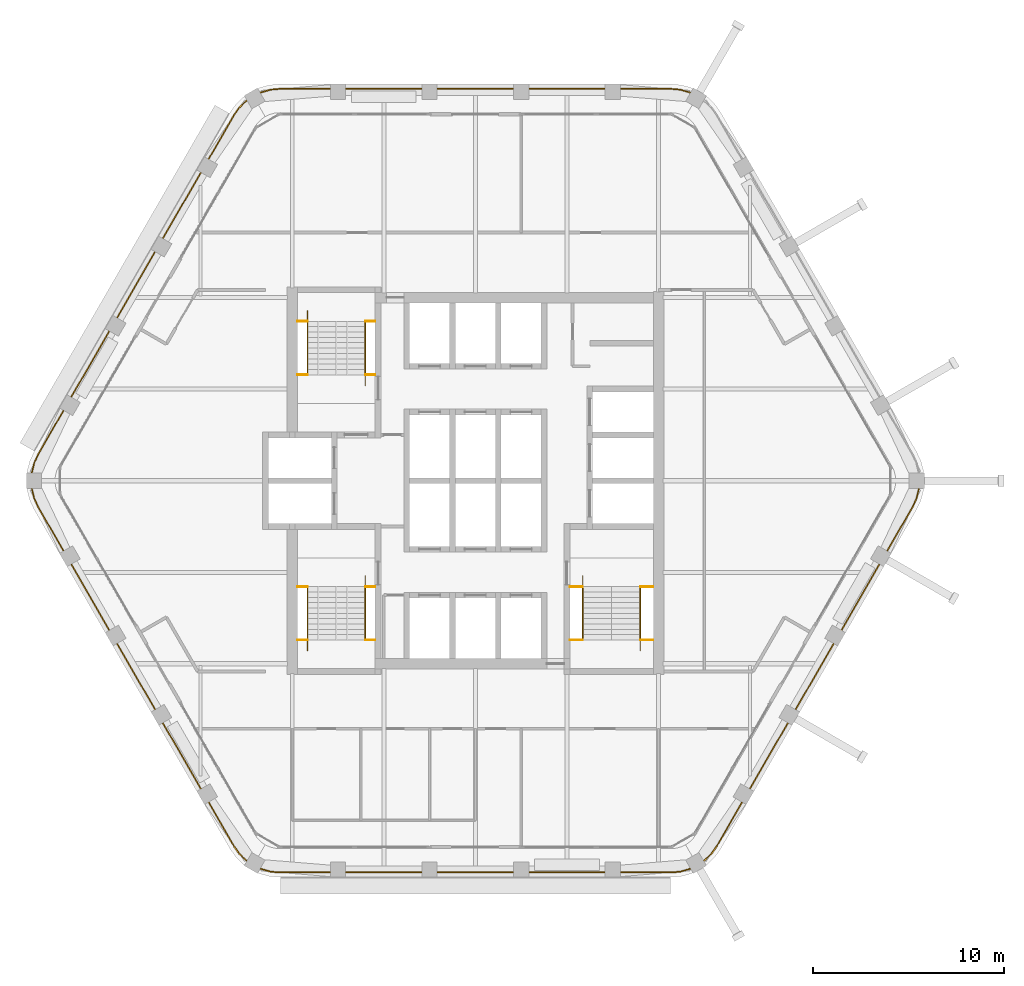
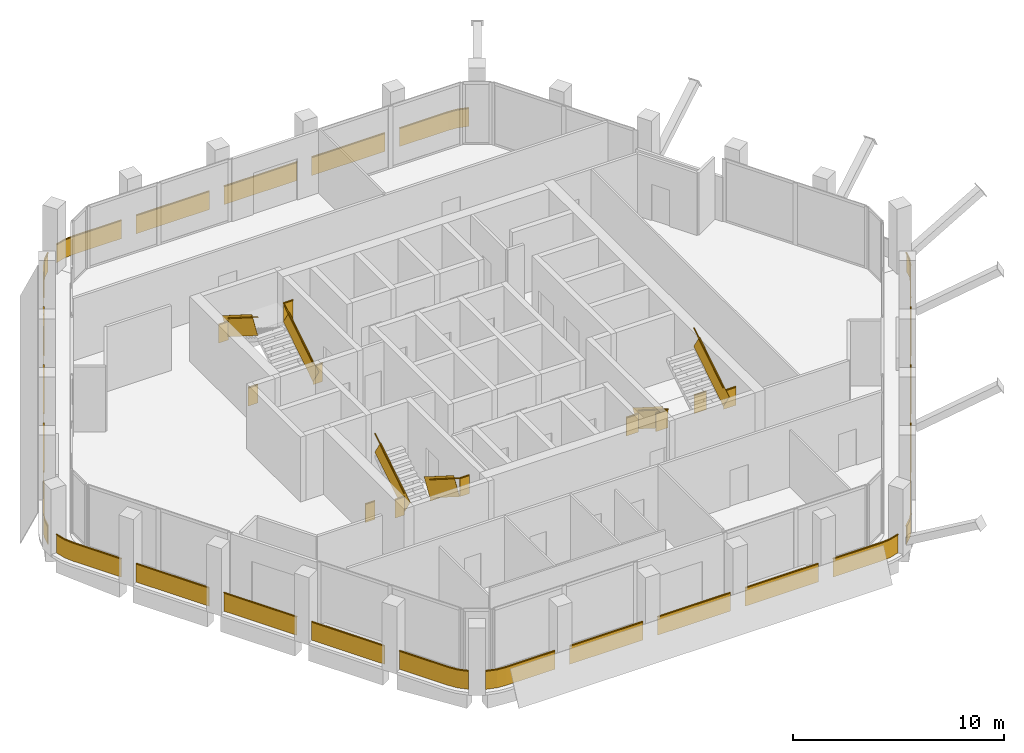
# One storey, part 13 of 14: 11 railings.
"""IFC4 building model written with IfcOpenShell, lengths in metres."""

from ifc_helpers import new_model, si_unit, direction, frame, frame_2d, origin, origin_2d, place, context, subcontext, project, spatial, rectangle, extrude, material, type_object, element, save


model = new_model("IFC4")

# Units and contexts
model_context = context("Model", 3, precision=1e-05, world=origin(), true_north=direction((0.0, 1.0)))
body_context = subcontext(model_context, "Body", "Model", "MODEL_VIEW")
ifc_project = project(units=[si_unit("LENGTHUNIT", "METRE"), si_unit("AREAUNIT", "SQUARE_METRE"), si_unit("VOLUMEUNIT", "CUBIC_METRE"), si_unit("PLANEANGLEUNIT", "RADIAN"), si_unit("MASSUNIT", "GRAM", prefix="KILO")], contexts=[model_context])

# Site, building, storey
site_placement = place(None, origin())
site = spatial("IfcSite", under=ifc_project, at=site_placement, CompositionType="ELEMENT")
building_placement = place(site_placement, origin())
building = spatial("IfcBuilding", under=site, at=building_placement, Name="Kolab Exchange Tower", CompositionType="ELEMENT")
storey_placement = place(building_placement, frame((0.0, 0.0, 281.300048828125)))
storey = spatial("IfcBuildingStorey", under=building, at=storey_placement, Name="L63", CompositionType="ELEMENT", Elevation=281.300048828125)

# Railings
ifc_material_1 = material(Name="Stainless steel 316", Category="steel")
railing_type_1 = type_object("IfcRailingType", Name="GUARD 1100", PredefinedType="GUARDRAIL", material=ifc_material_1)
railing_1_placement = place(storey_placement, frame((-9.324951171875, 5.550048828125, 0.0)))
element("IfcRailing", 1, at=railing_1_placement, inside=storey, type_object=railing_type_1, Name="Guard ST1", PredefinedType="GUARDRAIL", context=body_context, shape_type="SweptSolid", body=[
    extrude(rectangle(XDim=0.05, YDim=0.05, at=origin_2d()), frame((0.0, 0.0, 1.0751953125), z_axis=(1.0, 0.0, 0.0), x_axis=(0.0, 1.0, 0.0)), (0.0, 0.0, 1.0), 0.52734375),
    extrude(rectangle(XDim=0.012, YDim=1.05009765625, at=frame_2d((0.0, 0.525146484375))), frame((0.0, 0.0, 0.0), z_axis=(1.0, 0.0, 0.0), x_axis=(0.0, 1.0, 0.0)), (0.0, 0.0, 1.0), 0.52734375),
    extrude(rectangle(XDim=0.05, YDim=0.05, at=origin_2d()), frame((3.54736328125, 0.0, 1.0751953125), z_axis=(1.0, 0.0, 0.0), x_axis=(0.0, 1.0, 0.0)), (0.0, 0.0, 1.0), 0.527587890625),
    extrude(rectangle(XDim=0.012, YDim=1.05009765625, at=frame_2d((0.0, 0.525146484375))), frame((3.54736328125, 0.0, 0.0), z_axis=(1.0, 0.0, 0.0), x_axis=(0.0, 1.0, 0.0)), (0.0, 0.0, 1.0), 0.527587890625),
    extrude(rectangle(XDim=0.05, YDim=0.05, at=origin_2d()), frame((0.0, 2.800048828125, 3.025146484375), z_axis=(1.0, 0.0, 0.0), x_axis=(0.0, 1.0, 0.0)), (0.0, 0.0, 1.0), 0.52734375),
    extrude(rectangle(XDim=0.012, YDim=1.05009765625, at=frame_2d((0.0, 0.525146484375))), frame((0.0, 2.800048828125, 1.949951171875), z_axis=(1.0, 0.0, 0.0), x_axis=(0.0, 1.0, 0.0)), (0.0, 0.0, 1.0), 0.52734375),
    extrude(rectangle(XDim=0.05, YDim=0.05, at=origin_2d()), frame((3.54736328125, 2.800048828125, 3.025146484375), z_axis=(1.0, 0.0, 0.0), x_axis=(0.0, 1.0, 0.0)), (0.0, 0.0, 1.0), 0.527587890625),
    extrude(rectangle(XDim=0.012, YDim=1.05009765625, at=frame_2d((0.0, 0.525146484375))), frame((3.54736328125, 2.800048828125, 1.949951171875), z_axis=(1.0, 0.0, 0.0), x_axis=(0.0, 1.0, 0.0)), (0.0, 0.0, 1.0), 0.527587890625),
])
railing_2_placement = place(storey_placement, frame((-5.777587890625, 5.550048828125, 0.17724609375)))
element("IfcRailing", 2, at=railing_2_placement, inside=storey, type_object=railing_type_1, Name="Handrail guard ST1", PredefinedType="GUARDRAIL", context=body_context, shape_type="SweptSolid", body=[
    extrude(rectangle(XDim=0.05, YDim=0.05, at=origin_2d()), frame((0.0, 0.0, 1.0751953125), z_axis=(0.0, 0.844908973607, 0.534910110503), x_axis=(-1.0, 0.0, 0.0)), (0.0, 0.0, 1.0), 3.31396484375),
    extrude(rectangle(XDim=0.012, YDim=1.05009765625, at=frame_2d((0.0, 0.525146484375))), frame((0.0, 0.0, 0.0), z_axis=(0.0, 0.844908973607, 0.534910110503), x_axis=(-1.0, 0.0, 0.0)), (0.0, 0.0, 1.0), 3.31396484375),
    extrude(rectangle(XDim=0.05, YDim=0.05, at=origin_2d()), frame((-3.02001953125, 2.800048828125, 3.025146484375), z_axis=(0.0, -0.844908973607, 0.534910110503), x_axis=(1.0, 0.0, 0.0)), (0.0, 0.0, 1.0), 3.31396484375),
    extrude(rectangle(XDim=0.012, YDim=1.05009765625, at=frame_2d((0.0, 0.525146484375))), frame((-3.02001953125, 2.800048828125, 1.949951171875), z_axis=(0.0, -0.844908973607, 0.534910110503), x_axis=(1.0, 0.0, 0.0)), (0.0, 0.0, 1.0), 3.31396484375),
])
railing_3_placement = place(storey_placement, frame((-9.324951171875, -5.550048828125, 0.0)))
element("IfcRailing", 3, at=railing_3_placement, inside=storey, type_object=railing_type_1, Name="Guard ST3", PredefinedType="GUARDRAIL", context=body_context, shape_type="SweptSolid", body=[
    extrude(rectangle(XDim=0.05, YDim=0.05, at=origin_2d()), frame((0.0, 0.0, 1.0751953125), z_axis=(1.0, 0.0, 0.0), x_axis=(0.0, 1.0, 0.0)), (0.0, 0.0, 1.0), 0.52734375),
    extrude(rectangle(XDim=0.012, YDim=1.05009765625, at=frame_2d((0.0, 0.525146484375))), frame((0.0, 0.0, 0.0), z_axis=(1.0, 0.0, 0.0), x_axis=(0.0, 1.0, 0.0)), (0.0, 0.0, 1.0), 0.52734375),
    extrude(rectangle(XDim=0.05, YDim=0.05, at=origin_2d()), frame((3.54736328125, 0.0, 1.0751953125), z_axis=(1.0, 0.0, 0.0), x_axis=(0.0, 1.0, 0.0)), (0.0, 0.0, 1.0), 0.527587890625),
    extrude(rectangle(XDim=0.012, YDim=1.05009765625, at=frame_2d((0.0, 0.525146484375))), frame((3.54736328125, 0.0, 0.0), z_axis=(1.0, 0.0, 0.0), x_axis=(0.0, 1.0, 0.0)), (0.0, 0.0, 1.0), 0.527587890625),
    extrude(rectangle(XDim=0.05, YDim=0.05, at=origin_2d()), frame((0.0, -2.800048828125, 3.025146484375), z_axis=(1.0, 0.0, 0.0), x_axis=(0.0, 1.0, 0.0)), (0.0, 0.0, 1.0), 0.52734375),
    extrude(rectangle(XDim=0.012, YDim=1.05009765625, at=frame_2d((0.0, 0.525146484375))), frame((0.0, -2.800048828125, 1.949951171875), z_axis=(1.0, 0.0, 0.0), x_axis=(0.0, 1.0, 0.0)), (0.0, 0.0, 1.0), 0.52734375),
    extrude(rectangle(XDim=0.05, YDim=0.05, at=origin_2d()), frame((3.54736328125, -2.800048828125, 3.025146484375), z_axis=(1.0, 0.0, 0.0), x_axis=(0.0, 1.0, 0.0)), (0.0, 0.0, 1.0), 0.527587890625),
    extrude(rectangle(XDim=0.012, YDim=1.05009765625, at=frame_2d((0.0, 0.525146484375))), frame((3.54736328125, -2.800048828125, 1.949951171875), z_axis=(1.0, 0.0, 0.0), x_axis=(0.0, 1.0, 0.0)), (0.0, 0.0, 1.0), 0.527587890625),
])
railing_4_placement = place(storey_placement, frame((-5.777587890625, -5.550048828125, 0.17724609375)))
element("IfcRailing", 4, at=railing_4_placement, inside=storey, type_object=railing_type_1, Name="Handrail guard ST3", PredefinedType="GUARDRAIL", context=body_context, shape_type="SweptSolid", body=[
    extrude(rectangle(XDim=0.05, YDim=0.05, at=origin_2d()), frame((0.0, 0.0, 1.0751953125), z_axis=(0.0, -0.844908973607, 0.534910110503), x_axis=(1.0, 0.0, 0.0)), (0.0, 0.0, 1.0), 3.31396484375),
    extrude(rectangle(XDim=0.012, YDim=1.05009765625, at=frame_2d((0.0, 0.525146484375))), frame((0.0, 0.0, 0.0), z_axis=(0.0, -0.844908973607, 0.534910110503), x_axis=(1.0, 0.0, 0.0)), (0.0, 0.0, 1.0), 3.31396484375),
    extrude(rectangle(XDim=0.05, YDim=0.05, at=origin_2d()), frame((-3.02001953125, -2.800048828125, 3.025146484375), z_axis=(0.0, 0.844908973607, 0.534910110503), x_axis=(-1.0, 0.0, 0.0)), (0.0, 0.0, 1.0), 3.31396484375),
    extrude(rectangle(XDim=0.012, YDim=1.05009765625, at=frame_2d((0.0, 0.525146484375))), frame((-3.02001953125, -2.800048828125, 1.949951171875), z_axis=(0.0, 0.844908973607, 0.534910110503), x_axis=(-1.0, 0.0, 0.0)), (0.0, 0.0, 1.0), 3.31396484375),
])
railing_5_placement = place(storey_placement, frame((4.949951171875, -5.550048828125, 0.0)))
element("IfcRailing", 5, at=railing_5_placement, inside=storey, type_object=railing_type_1, Name="Guard ST2", PredefinedType="GUARDRAIL", context=body_context, shape_type="SweptSolid", body=[
    extrude(rectangle(XDim=0.05, YDim=0.05, at=origin_2d()), frame((0.0, 0.0, 1.0751953125), z_axis=(1.0, 0.0, 0.0), x_axis=(0.0, 1.0, 0.0)), (0.0, 0.0, 1.0), 0.677490234375),
    extrude(rectangle(XDim=0.012, YDim=1.05009765625, at=frame_2d((0.0, 0.525146484375))), frame((0.0, 0.0, 0.0), z_axis=(1.0, 0.0, 0.0), x_axis=(0.0, 1.0, 0.0)), (0.0, 0.0, 1.0), 0.677490234375),
    extrude(rectangle(XDim=0.05, YDim=0.05, at=origin_2d()), frame((3.697509765625, 0.0, 1.0751953125), z_axis=(1.0, 0.0, 0.0), x_axis=(0.0, 1.0, 0.0)), (0.0, 0.0, 1.0), 0.677490234375),
    extrude(rectangle(XDim=0.012, YDim=1.05009765625, at=frame_2d((0.0, 0.525146484375))), frame((3.697509765625, 0.0, 0.0), z_axis=(1.0, 0.0, 0.0), x_axis=(0.0, 1.0, 0.0)), (0.0, 0.0, 1.0), 0.677490234375),
    extrude(rectangle(XDim=0.05, YDim=0.05, at=origin_2d()), frame((0.0, -2.800048828125, 3.025146484375), z_axis=(1.0, 0.0, 0.0), x_axis=(0.0, 1.0, 0.0)), (0.0, 0.0, 1.0), 0.677490234375),
    extrude(rectangle(XDim=0.012, YDim=1.05009765625, at=frame_2d((0.0, 0.525146484375))), frame((0.0, -2.800048828125, 1.949951171875), z_axis=(1.0, 0.0, 0.0), x_axis=(0.0, 1.0, 0.0)), (0.0, 0.0, 1.0), 0.677490234375),
    extrude(rectangle(XDim=0.05, YDim=0.05, at=origin_2d()), frame((3.697509765625, -2.800048828125, 3.025146484375), z_axis=(1.0, 0.0, 0.0), x_axis=(0.0, 1.0, 0.0)), (0.0, 0.0, 1.0), 0.677490234375),
    extrude(rectangle(XDim=0.012, YDim=1.05009765625, at=frame_2d((0.0, 0.525146484375))), frame((3.697509765625, -2.800048828125, 1.949951171875), z_axis=(1.0, 0.0, 0.0), x_axis=(0.0, 1.0, 0.0)), (0.0, 0.0, 1.0), 0.677490234375),
])
railing_6_placement = place(storey_placement, frame((5.62744140625, -5.550048828125, 0.17724609375)))
element("IfcRailing", 6, at=railing_6_placement, inside=storey, type_object=railing_type_1, Name="Handrail guard ST2", PredefinedType="GUARDRAIL", context=body_context, shape_type="SweptSolid", body=[
    extrude(rectangle(XDim=0.05, YDim=0.05, at=origin_2d()), frame((0.0, 0.0, 1.0751953125), z_axis=(0.0, -0.844908973607, 0.534910110503), x_axis=(1.0, 0.0, 0.0)), (0.0, 0.0, 1.0), 3.31396484375),
    extrude(rectangle(XDim=0.012, YDim=1.05009765625, at=frame_2d((0.0, 0.525146484375))), frame((0.0, 0.0, 0.0), z_axis=(0.0, -0.844908973607, 0.534910110503), x_axis=(1.0, 0.0, 0.0)), (0.0, 0.0, 1.0), 3.31396484375),
    extrude(rectangle(XDim=0.05, YDim=0.05, at=origin_2d()), frame((3.02001953125, -2.800048828125, 3.025146484375), z_axis=(0.0, 0.844908973607, 0.534910110503), x_axis=(-1.0, 0.0, 0.0)), (0.0, 0.0, 1.0), 3.31396484375),
    extrude(rectangle(XDim=0.012, YDim=1.05009765625, at=frame_2d((0.0, 0.525146484375))), frame((3.02001953125, -2.800048828125, 1.949951171875), z_axis=(0.0, 0.844908973607, 0.534910110503), x_axis=(-1.0, 0.0, 0.0)), (0.0, 0.0, 1.0), 3.31396484375),
])
ifc_material_2 = material(Name="Steel S235", Category="steel")
railing_type_2 = type_object("IfcRailingType", Name="GUARD 1100 GLASS BALUSTRADE AND STEEL TOP RAIL", PredefinedType="GUARDRAIL", material=ifc_material_2)
railing_7_placement = place(storey_placement, frame((11.280517578125, 20.335205078125, 0.0)))
element("IfcRailing", 7, at=railing_7_placement, inside=storey, type_object=railing_type_2, Name="Guard", PredefinedType="GUARDRAIL", context=body_context, shape_type="SweptSolid", body=[
    extrude(rectangle(XDim=0.05, YDim=0.05, at=origin_2d()), frame((0.0, 0.0, 1.0751953125), z_axis=(-0.959212061764, 0.282687496304, 0.0), x_axis=(-0.282687496304, -0.959212061764, 0.0)), (0.0, 0.0, 1.0), 0.557861328125),
    extrude(rectangle(XDim=0.012, YDim=1.05009765625, at=frame_2d((0.0, 0.525146484375))), frame((0.0, 0.0, 0.0), z_axis=(-0.959212061764, 0.282687496304, 0.0), x_axis=(-0.282687496304, -0.959212061764, 0.0)), (0.0, 0.0, 1.0), 0.557861328125),
    extrude(rectangle(XDim=0.05, YDim=0.05, at=origin_2d()), frame((-0.53515625, 0.15771484375, 1.0751953125), z_axis=(-0.996196482496, 0.087135344505, 0.0), x_axis=(-0.087135344505, -0.996196482496, 0.0)), (0.0, 0.0, 1.0), 0.47900390625),
    extrude(rectangle(XDim=0.012, YDim=1.05009765625, at=frame_2d((0.0, 0.525146484375))), frame((-0.53515625, 0.15771484375, 0.0), z_axis=(-0.996196482496, 0.087135344505, 0.0), x_axis=(-0.087135344505, -0.996196482496, 0.0)), (0.0, 0.0, 1.0), 0.47900390625),
    extrude(rectangle(XDim=0.05, YDim=0.05, at=origin_2d()), frame((-1.012451171875, 0.199462890625, 1.0751953125), z_axis=(-1.0, 0.0, 0.0), x_axis=(0.0, -1.0, 0.0)), (0.0, 0.0, 1.0), 2.66796875),
    extrude(rectangle(XDim=0.012, YDim=1.05009765625, at=frame_2d((0.0, 0.525146484375))), frame((-1.012451171875, 0.199462890625, 0.0), z_axis=(-1.0, 0.0, 0.0), x_axis=(0.0, -1.0, 0.0)), (0.0, 0.0, 1.0), 2.66796875),
    extrude(rectangle(XDim=0.05, YDim=0.05, at=origin_2d()), frame((-4.48046875, 0.199462890625, 1.0751953125), z_axis=(-1.0, 0.0, 0.0), x_axis=(0.0, -1.0, 0.0)), (0.0, 0.0, 1.0), 4.0),
    extrude(rectangle(XDim=0.012, YDim=1.05009765625, at=frame_2d((0.0, 0.525146484375))), frame((-4.48046875, 0.199462890625, 0.0), z_axis=(-1.0, 0.0, 0.0), x_axis=(0.0, -1.0, 0.0)), (0.0, 0.0, 1.0), 4.0),
    extrude(rectangle(XDim=0.05, YDim=0.05, at=origin_2d()), frame((-9.280517578125, 0.199462890625, 1.0751953125), z_axis=(-1.0, 0.0, 0.0), x_axis=(0.0, -1.0, 0.0)), (0.0, 0.0, 1.0), 4.0),
    extrude(rectangle(XDim=0.012, YDim=1.05009765625, at=frame_2d((0.0, 0.525146484375))), frame((-9.280517578125, 0.199462890625, 0.0), z_axis=(-1.0, 0.0, 0.0), x_axis=(0.0, -1.0, 0.0)), (0.0, 0.0, 1.0), 4.0),
    extrude(rectangle(XDim=0.05, YDim=0.05, at=origin_2d()), frame((-14.08056640625, 0.199462890625, 1.0751953125), z_axis=(-1.0, 0.0, 0.0), x_axis=(0.0, -1.0, 0.0)), (0.0, 0.0, 1.0), 4.0),
    extrude(rectangle(XDim=0.012, YDim=1.05009765625, at=frame_2d((0.0, 0.525146484375))), frame((-14.08056640625, 0.199462890625, 0.0), z_axis=(-1.0, 0.0, 0.0), x_axis=(0.0, -1.0, 0.0)), (0.0, 0.0, 1.0), 4.0),
    extrude(rectangle(XDim=0.05, YDim=0.05, at=origin_2d()), frame((-18.880615234375, 0.199462890625, 1.0751953125), z_axis=(-1.0, 0.0, 0.0), x_axis=(0.0, -1.0, 0.0)), (0.0, 0.0, 1.0), 2.66796875),
    extrude(rectangle(XDim=0.012, YDim=1.05009765625, at=frame_2d((0.0, 0.525146484375))), frame((-18.880615234375, 0.199462890625, 0.0), z_axis=(-1.0, 0.0, 0.0), x_axis=(0.0, -1.0, 0.0)), (0.0, 0.0, 1.0), 2.66796875),
    extrude(rectangle(XDim=0.05, YDim=0.05, at=origin_2d()), frame((-21.548583984375, 0.199462890625, 1.0751953125), z_axis=(-0.996196482496, -0.087135344505, 0.0), x_axis=(0.087135344505, -0.996196482496, 0.0)), (0.0, 0.0, 1.0), 0.47900390625),
    extrude(rectangle(XDim=0.012, YDim=1.05009765625, at=frame_2d((0.0, 0.525146484375))), frame((-21.548583984375, 0.199462890625, 0.0), z_axis=(-0.996196482496, -0.087135344505, 0.0), x_axis=(0.087135344505, -0.996196482496, 0.0)), (0.0, 0.0, 1.0), 0.47900390625),
    extrude(rectangle(XDim=0.05, YDim=0.05, at=origin_2d()), frame((-22.02587890625, 0.15771484375, 1.0751953125), z_axis=(-0.959212061764, -0.282687496304, 0.0), x_axis=(0.282687496304, -0.959212061764, 0.0)), (0.0, 0.0, 1.0), 0.557861328125),
    extrude(rectangle(XDim=0.012, YDim=1.05009765625, at=frame_2d((0.0, 0.525146484375))), frame((-22.02587890625, 0.15771484375, 0.0), z_axis=(-0.959212061764, -0.282687496304, 0.0), x_axis=(0.282687496304, -0.959212061764, 0.0)), (0.0, 0.0, 1.0), 0.557861328125),
])
railing_8_placement = place(storey_placement, frame((11.970703125, -19.936767578125, 0.0)))
element("IfcRailing", 8, at=railing_8_placement, inside=storey, type_object=railing_type_2, Name="Guard", PredefinedType="GUARDRAIL", context=body_context, shape_type="SweptSolid", body=[
    extrude(rectangle(XDim=0.05, YDim=0.05, at=origin_2d()), frame((0.0, 0.0, 1.0751953125), z_axis=(0.724189990991, 0.689600505327, 0.0), x_axis=(-0.689600505327, 0.724189990991, 0.0)), (0.0, 0.0, 1.0), 0.5576171875),
    extrude(rectangle(XDim=0.012, YDim=1.05009765625, at=frame_2d((0.0, 0.525146484375))), frame((0.0, 0.0, 0.0), z_axis=(0.724189990991, 0.689600505327, 0.0), x_axis=(-0.689600505327, 0.724189990991, 0.0)), (0.0, 0.0, 1.0), 0.5576171875),
    extrude(rectangle(XDim=0.05, YDim=0.05, at=origin_2d()), frame((0.40380859375, 0.384521484375, 1.0751953125), z_axis=(0.573599091554, 0.819136180478, 0.0), x_axis=(-0.819136180478, 0.573599091554, 0.0)), (0.0, 0.0, 1.0), 0.479248046875),
    extrude(rectangle(XDim=0.012, YDim=1.05009765625, at=frame_2d((0.0, 0.525146484375))), frame((0.40380859375, 0.384521484375, 0.0), z_axis=(0.573599091554, 0.819136180478, 0.0), x_axis=(-0.819136180478, 0.573599091554, 0.0)), (0.0, 0.0, 1.0), 0.479248046875),
    extrude(rectangle(XDim=0.05, YDim=0.05, at=origin_2d()), frame((0.6787109375, 0.777099609375, 1.0751953125), z_axis=(0.499997052475, 0.866027105532, 0.0), x_axis=(-0.866027105532, 0.499997052475, 0.0)), (0.0, 0.0, 1.0), 2.66796875),
    extrude(rectangle(XDim=0.012, YDim=1.05009765625, at=frame_2d((0.0, 0.525146484375))), frame((0.6787109375, 0.777099609375, 0.0), z_axis=(0.499997052475, 0.866027105532, 0.0), x_axis=(-0.866027105532, 0.499997052475, 0.0)), (0.0, 0.0, 1.0), 2.66796875),
    extrude(rectangle(XDim=0.05, YDim=0.05, at=origin_2d()), frame((2.412841796875, 3.780517578125, 1.0751953125), z_axis=(0.49999894854, 0.866026010844, 0.0), x_axis=(-0.866026010844, 0.49999894854, 0.0)), (0.0, 0.0, 1.0), 4.0),
    extrude(rectangle(XDim=0.012, YDim=1.05009765625, at=frame_2d((0.0, 0.525146484375))), frame((2.412841796875, 3.780517578125, 0.0), z_axis=(0.49999894854, 0.866026010844, 0.0), x_axis=(-0.866026010844, 0.49999894854, 0.0)), (0.0, 0.0, 1.0), 4.0),
    extrude(rectangle(XDim=0.05, YDim=0.05, at=origin_2d()), frame((4.812744140625, 7.9375, 1.0751953125), z_axis=(0.49999894854, 0.866026010844, 0.0), x_axis=(-0.866026010844, 0.49999894854, 0.0)), (0.0, 0.0, 1.0), 4.0),
    extrude(rectangle(XDim=0.012, YDim=1.05009765625, at=frame_2d((0.0, 0.525146484375))), frame((4.812744140625, 7.9375, 0.0), z_axis=(0.49999894854, 0.866026010844, 0.0), x_axis=(-0.866026010844, 0.49999894854, 0.0)), (0.0, 0.0, 1.0), 4.0),
    extrude(rectangle(XDim=0.05, YDim=0.05, at=origin_2d()), frame((7.212890625, 12.09423828125, 1.0751953125), z_axis=(0.49999894854, 0.866026010844, 0.0), x_axis=(-0.866026010844, 0.49999894854, 0.0)), (0.0, 0.0, 1.0), 4.0),
    extrude(rectangle(XDim=0.012, YDim=1.05009765625, at=frame_2d((0.0, 0.525146484375))), frame((7.212890625, 12.09423828125, 0.0), z_axis=(0.49999894854, 0.866026010844, 0.0), x_axis=(-0.866026010844, 0.49999894854, 0.0)), (0.0, 0.0, 1.0), 4.0),
    extrude(rectangle(XDim=0.05, YDim=0.05, at=origin_2d()), frame((9.61279296875, 16.251220703125, 1.0751953125), z_axis=(0.499997052475, 0.866027105532, 0.0), x_axis=(-0.866027105532, 0.499997052475, 0.0)), (0.0, 0.0, 1.0), 2.66796875),
    extrude(rectangle(XDim=0.012, YDim=1.05009765625, at=frame_2d((0.0, 0.525146484375))), frame((9.61279296875, 16.251220703125, 0.0), z_axis=(0.499997052475, 0.866027105532, 0.0), x_axis=(-0.866027105532, 0.499997052475, 0.0)), (0.0, 0.0, 1.0), 2.66796875),
    extrude(rectangle(XDim=0.05, YDim=0.05, at=origin_2d()), frame((10.94677734375, 18.561767578125, 1.0751953125), z_axis=(0.422801802984, 0.906222177721, 0.0), x_axis=(-0.906222177721, 0.422801802984, 0.0)), (0.0, 0.0, 1.0), 0.479248046875),
    extrude(rectangle(XDim=0.012, YDim=1.05009765625, at=frame_2d((0.0, 0.525146484375))), frame((10.94677734375, 18.561767578125, 0.0), z_axis=(0.422801802984, 0.906222177721, 0.0), x_axis=(-0.906222177721, 0.422801802984, 0.0)), (0.0, 0.0, 1.0), 0.479248046875),
    extrude(rectangle(XDim=0.05, YDim=0.05, at=origin_2d()), frame((11.1494140625, 18.99609375, 1.0751953125), z_axis=(0.234597748196, 0.972092534968, 0.0), x_axis=(-0.972092534968, 0.234597748196, 0.0)), (0.0, 0.0, 1.0), 0.557861328125),
    extrude(rectangle(XDim=0.012, YDim=1.05009765625, at=frame_2d((0.0, 0.525146484375))), frame((11.1494140625, 18.99609375, 0.0), z_axis=(0.234597748196, 0.972092534968, 0.0), x_axis=(-0.972092534968, 0.234597748196, 0.0)), (0.0, 0.0, 1.0), 0.557861328125),
])
railing_9_placement = place(storey_placement, frame((-11.280517578125, -20.335205078125, 0.0)))
element("IfcRailing", 9, at=railing_9_placement, inside=storey, type_object=railing_type_2, Name="Guard", PredefinedType="GUARDRAIL", context=body_context, shape_type="SweptSolid", body=[
    extrude(rectangle(XDim=0.05, YDim=0.05, at=origin_2d()), frame((0.0, 0.0, 1.0751953125), z_axis=(0.959212061764, -0.282687496304, 0.0), x_axis=(0.282687496304, 0.959212061764, 0.0)), (0.0, 0.0, 1.0), 0.557861328125),
    extrude(rectangle(XDim=0.012, YDim=1.05009765625, at=frame_2d((0.0, 0.525146484375))), frame((0.0, 0.0, 0.0), z_axis=(0.959212061764, -0.282687496304, 0.0), x_axis=(0.282687496304, 0.959212061764, 0.0)), (0.0, 0.0, 1.0), 0.557861328125),
    extrude(rectangle(XDim=0.05, YDim=0.05, at=origin_2d()), frame((0.53515625, -0.15771484375, 1.0751953125), z_axis=(0.996196482496, -0.087135344505, 0.0), x_axis=(0.087135344505, 0.996196482496, 0.0)), (0.0, 0.0, 1.0), 0.47900390625),
    extrude(rectangle(XDim=0.012, YDim=1.05009765625, at=frame_2d((0.0, 0.525146484375))), frame((0.53515625, -0.15771484375, 0.0), z_axis=(0.996196482496, -0.087135344505, 0.0), x_axis=(0.087135344505, 0.996196482496, 0.0)), (0.0, 0.0, 1.0), 0.47900390625),
    extrude(rectangle(XDim=0.05, YDim=0.05, at=origin_2d()), frame((1.012451171875, -0.199462890625, 1.0751953125), z_axis=(1.0, 0.0, 0.0), x_axis=(0.0, 1.0, 0.0)), (0.0, 0.0, 1.0), 2.66796875),
    extrude(rectangle(XDim=0.012, YDim=1.05009765625, at=frame_2d((0.0, 0.525146484375))), frame((1.012451171875, -0.199462890625, 0.0), z_axis=(1.0, 0.0, 0.0), x_axis=(0.0, 1.0, 0.0)), (0.0, 0.0, 1.0), 2.66796875),
    extrude(rectangle(XDim=0.05, YDim=0.05, at=origin_2d()), frame((4.48046875, -0.199462890625, 1.0751953125), z_axis=(1.0, 0.0, 0.0), x_axis=(0.0, 1.0, 0.0)), (0.0, 0.0, 1.0), 4.0),
    extrude(rectangle(XDim=0.012, YDim=1.05009765625, at=frame_2d((0.0, 0.525146484375))), frame((4.48046875, -0.199462890625, 0.0), z_axis=(1.0, 0.0, 0.0), x_axis=(0.0, 1.0, 0.0)), (0.0, 0.0, 1.0), 4.0),
    extrude(rectangle(XDim=0.05, YDim=0.05, at=origin_2d()), frame((9.280517578125, -0.199462890625, 1.0751953125), z_axis=(1.0, 0.0, 0.0), x_axis=(0.0, 1.0, 0.0)), (0.0, 0.0, 1.0), 4.0),
    extrude(rectangle(XDim=0.012, YDim=1.05009765625, at=frame_2d((0.0, 0.525146484375))), frame((9.280517578125, -0.199462890625, 0.0), z_axis=(1.0, 0.0, 0.0), x_axis=(0.0, 1.0, 0.0)), (0.0, 0.0, 1.0), 4.0),
    extrude(rectangle(XDim=0.05, YDim=0.05, at=origin_2d()), frame((14.08056640625, -0.199462890625, 1.0751953125), z_axis=(1.0, 0.0, 0.0), x_axis=(0.0, 1.0, 0.0)), (0.0, 0.0, 1.0), 4.0),
    extrude(rectangle(XDim=0.012, YDim=1.05009765625, at=frame_2d((0.0, 0.525146484375))), frame((14.08056640625, -0.199462890625, 0.0), z_axis=(1.0, 0.0, 0.0), x_axis=(0.0, 1.0, 0.0)), (0.0, 0.0, 1.0), 4.0),
    extrude(rectangle(XDim=0.05, YDim=0.05, at=origin_2d()), frame((18.880615234375, -0.199462890625, 1.0751953125), z_axis=(1.0, 0.0, 0.0), x_axis=(0.0, 1.0, 0.0)), (0.0, 0.0, 1.0), 2.66796875),
    extrude(rectangle(XDim=0.012, YDim=1.05009765625, at=frame_2d((0.0, 0.525146484375))), frame((18.880615234375, -0.199462890625, 0.0), z_axis=(1.0, 0.0, 0.0), x_axis=(0.0, 1.0, 0.0)), (0.0, 0.0, 1.0), 2.66796875),
    extrude(rectangle(XDim=0.05, YDim=0.05, at=origin_2d()), frame((21.548583984375, -0.199462890625, 1.0751953125), z_axis=(0.996196482496, 0.087135344505, 0.0), x_axis=(-0.087135344505, 0.996196482496, 0.0)), (0.0, 0.0, 1.0), 0.47900390625),
    extrude(rectangle(XDim=0.012, YDim=1.05009765625, at=frame_2d((0.0, 0.525146484375))), frame((21.548583984375, -0.199462890625, 0.0), z_axis=(0.996196482496, 0.087135344505, 0.0), x_axis=(-0.087135344505, 0.996196482496, 0.0)), (0.0, 0.0, 1.0), 0.47900390625),
    extrude(rectangle(XDim=0.05, YDim=0.05, at=origin_2d()), frame((22.02587890625, -0.15771484375, 1.0751953125), z_axis=(0.959212061764, 0.282687496304, 0.0), x_axis=(-0.282687496304, 0.959212061764, 0.0)), (0.0, 0.0, 1.0), 0.557861328125),
    extrude(rectangle(XDim=0.012, YDim=1.05009765625, at=frame_2d((0.0, 0.525146484375))), frame((22.02587890625, -0.15771484375, 0.0), z_axis=(0.959212061764, 0.282687496304, 0.0), x_axis=(-0.282687496304, 0.959212061764, 0.0)), (0.0, 0.0, 1.0), 0.557861328125),
])
railing_10_placement = place(storey_placement, frame((-23.2509765625, -0.3984375, 0.0)))
element("IfcRailing", 10, at=railing_10_placement, inside=storey, type_object=railing_type_2, Name="Guard", PredefinedType="GUARDRAIL", context=body_context, shape_type="SweptSolid", body=[
    extrude(rectangle(XDim=0.05, YDim=0.05, at=origin_2d()), frame((0.0, 0.0, 1.0751953125), z_axis=(0.234597748196, -0.972092534968, 0.0), x_axis=(0.972092534968, 0.234597748196, 0.0)), (0.0, 0.0, 1.0), 0.557861328125),
    extrude(rectangle(XDim=0.012, YDim=1.05009765625, at=frame_2d((0.0, 0.525146484375))), frame((0.0, 0.0, 0.0), z_axis=(0.234597748196, -0.972092534968, 0.0), x_axis=(0.972092534968, 0.234597748196, 0.0)), (0.0, 0.0, 1.0), 0.557861328125),
    extrude(rectangle(XDim=0.05, YDim=0.05, at=origin_2d()), frame((0.130859375, -0.542236328125, 1.0751953125), z_axis=(0.422801802984, -0.906222177721, 0.0), x_axis=(0.906222177721, 0.422801802984, 0.0)), (0.0, 0.0, 1.0), 0.479248046875),
    extrude(rectangle(XDim=0.012, YDim=1.05009765625, at=frame_2d((0.0, 0.525146484375))), frame((0.130859375, -0.542236328125, 0.0), z_axis=(0.422801802984, -0.906222177721, 0.0), x_axis=(0.906222177721, 0.422801802984, 0.0)), (0.0, 0.0, 1.0), 0.479248046875),
    extrude(rectangle(XDim=0.05, YDim=0.05, at=origin_2d()), frame((0.33349609375, -0.9765625, 1.0751953125), z_axis=(0.499997052475, -0.866027105532, 0.0), x_axis=(0.866027105532, 0.499997052475, 0.0)), (0.0, 0.0, 1.0), 2.66796875),
    extrude(rectangle(XDim=0.012, YDim=1.05009765625, at=frame_2d((0.0, 0.525146484375))), frame((0.33349609375, -0.9765625, 0.0), z_axis=(0.499997052475, -0.866027105532, 0.0), x_axis=(0.866027105532, 0.499997052475, 0.0)), (0.0, 0.0, 1.0), 2.66796875),
    extrude(rectangle(XDim=0.05, YDim=0.05, at=origin_2d()), frame((2.0673828125, -3.97998046875, 1.0751953125), z_axis=(0.49999894854, -0.866026010844, 0.0), x_axis=(0.866026010844, 0.49999894854, 0.0)), (0.0, 0.0, 1.0), 4.0),
    extrude(rectangle(XDim=0.012, YDim=1.05009765625, at=frame_2d((0.0, 0.525146484375))), frame((2.0673828125, -3.97998046875, 0.0), z_axis=(0.49999894854, -0.866026010844, 0.0), x_axis=(0.866026010844, 0.49999894854, 0.0)), (0.0, 0.0, 1.0), 4.0),
    extrude(rectangle(XDim=0.05, YDim=0.05, at=origin_2d()), frame((4.467529296875, -8.13671875, 1.0751953125), z_axis=(0.49999894854, -0.866026010844, 0.0), x_axis=(0.866026010844, 0.49999894854, 0.0)), (0.0, 0.0, 1.0), 4.0),
    extrude(rectangle(XDim=0.012, YDim=1.05009765625, at=frame_2d((0.0, 0.525146484375))), frame((4.467529296875, -8.13671875, 0.0), z_axis=(0.49999894854, -0.866026010844, 0.0), x_axis=(0.866026010844, 0.49999894854, 0.0)), (0.0, 0.0, 1.0), 4.0),
    extrude(rectangle(XDim=0.05, YDim=0.05, at=origin_2d()), frame((6.867431640625, -12.293701171875, 1.0751953125), z_axis=(0.49999894854, -0.866026010844, 0.0), x_axis=(0.866026010844, 0.49999894854, 0.0)), (0.0, 0.0, 1.0), 4.0),
    extrude(rectangle(XDim=0.012, YDim=1.05009765625, at=frame_2d((0.0, 0.525146484375))), frame((6.867431640625, -12.293701171875, 0.0), z_axis=(0.49999894854, -0.866026010844, 0.0), x_axis=(0.866026010844, 0.49999894854, 0.0)), (0.0, 0.0, 1.0), 4.0),
    extrude(rectangle(XDim=0.05, YDim=0.05, at=origin_2d()), frame((9.267578125, -16.45068359375, 1.0751953125), z_axis=(0.499997052475, -0.866027105532, 0.0), x_axis=(0.866027105532, 0.499997052475, 0.0)), (0.0, 0.0, 1.0), 2.66796875),
    extrude(rectangle(XDim=0.012, YDim=1.05009765625, at=frame_2d((0.0, 0.525146484375))), frame((9.267578125, -16.45068359375, 0.0), z_axis=(0.499997052475, -0.866027105532, 0.0), x_axis=(0.866027105532, 0.499997052475, 0.0)), (0.0, 0.0, 1.0), 2.66796875),
    extrude(rectangle(XDim=0.05, YDim=0.05, at=origin_2d()), frame((10.6015625, -18.76123046875, 1.0751953125), z_axis=(0.573599091554, -0.819136180478, 0.0), x_axis=(0.819136180478, 0.573599091554, 0.0)), (0.0, 0.0, 1.0), 0.479248046875),
    extrude(rectangle(XDim=0.012, YDim=1.05009765625, at=frame_2d((0.0, 0.525146484375))), frame((10.6015625, -18.76123046875, 0.0), z_axis=(0.573599091554, -0.819136180478, 0.0), x_axis=(0.819136180478, 0.573599091554, 0.0)), (0.0, 0.0, 1.0), 0.479248046875),
    extrude(rectangle(XDim=0.05, YDim=0.05, at=origin_2d()), frame((10.87646484375, -19.15380859375, 1.0751953125), z_axis=(0.724189990991, -0.689600505327, 0.0), x_axis=(0.689600505327, 0.724189990991, 0.0)), (0.0, 0.0, 1.0), 0.5576171875),
    extrude(rectangle(XDim=0.012, YDim=1.05009765625, at=frame_2d((0.0, 0.525146484375))), frame((10.87646484375, -19.15380859375, 0.0), z_axis=(0.724189990991, -0.689600505327, 0.0), x_axis=(0.689600505327, 0.724189990991, 0.0)), (0.0, 0.0, 1.0), 0.5576171875),
])
railing_11_placement = place(storey_placement, frame((-11.970703125, 19.936767578125, 0.0)))
element("IfcRailing", 11, at=railing_11_placement, inside=storey, type_object=railing_type_2, Name="Guard", PredefinedType="GUARDRAIL", context=body_context, shape_type="SweptSolid", body=[
    extrude(rectangle(XDim=0.05, YDim=0.05, at=origin_2d()), frame((0.0, 0.0, 1.0751953125), z_axis=(-0.724189990991, -0.689600505327, 0.0), x_axis=(0.689600505327, -0.724189990991, 0.0)), (0.0, 0.0, 1.0), 0.5576171875),
    extrude(rectangle(XDim=0.012, YDim=1.05009765625, at=frame_2d((0.0, 0.525146484375))), frame((0.0, 0.0, 0.0), z_axis=(-0.724189990991, -0.689600505327, 0.0), x_axis=(0.689600505327, -0.724189990991, 0.0)), (0.0, 0.0, 1.0), 0.5576171875),
    extrude(rectangle(XDim=0.05, YDim=0.05, at=origin_2d()), frame((-0.40380859375, -0.384521484375, 1.0751953125), z_axis=(-0.573599091554, -0.819136180478, 0.0), x_axis=(0.819136180478, -0.573599091554, 0.0)), (0.0, 0.0, 1.0), 0.479248046875),
    extrude(rectangle(XDim=0.012, YDim=1.05009765625, at=frame_2d((0.0, 0.525146484375))), frame((-0.40380859375, -0.384521484375, 0.0), z_axis=(-0.573599091554, -0.819136180478, 0.0), x_axis=(0.819136180478, -0.573599091554, 0.0)), (0.0, 0.0, 1.0), 0.479248046875),
    extrude(rectangle(XDim=0.05, YDim=0.05, at=origin_2d()), frame((-0.6787109375, -0.777099609375, 1.0751953125), z_axis=(-0.499997052475, -0.866027105532, 0.0), x_axis=(0.866027105532, -0.499997052475, 0.0)), (0.0, 0.0, 1.0), 2.66796875),
    extrude(rectangle(XDim=0.012, YDim=1.05009765625, at=frame_2d((0.0, 0.525146484375))), frame((-0.6787109375, -0.777099609375, 0.0), z_axis=(-0.499997052475, -0.866027105532, 0.0), x_axis=(0.866027105532, -0.499997052475, 0.0)), (0.0, 0.0, 1.0), 2.66796875),
    extrude(rectangle(XDim=0.05, YDim=0.05, at=origin_2d()), frame((-2.412841796875, -3.780517578125, 1.0751953125), z_axis=(-0.49999894854, -0.866026010844, 0.0), x_axis=(0.866026010844, -0.49999894854, 0.0)), (0.0, 0.0, 1.0), 4.0),
    extrude(rectangle(XDim=0.012, YDim=1.05009765625, at=frame_2d((0.0, 0.525146484375))), frame((-2.412841796875, -3.780517578125, 0.0), z_axis=(-0.49999894854, -0.866026010844, 0.0), x_axis=(0.866026010844, -0.49999894854, 0.0)), (0.0, 0.0, 1.0), 4.0),
    extrude(rectangle(XDim=0.05, YDim=0.05, at=origin_2d()), frame((-4.812744140625, -7.9375, 1.0751953125), z_axis=(-0.49999894854, -0.866026010844, 0.0), x_axis=(0.866026010844, -0.49999894854, 0.0)), (0.0, 0.0, 1.0), 4.0),
    extrude(rectangle(XDim=0.012, YDim=1.05009765625, at=frame_2d((0.0, 0.525146484375))), frame((-4.812744140625, -7.9375, 0.0), z_axis=(-0.49999894854, -0.866026010844, 0.0), x_axis=(0.866026010844, -0.49999894854, 0.0)), (0.0, 0.0, 1.0), 4.0),
    extrude(rectangle(XDim=0.05, YDim=0.05, at=origin_2d()), frame((-7.212890625, -12.09423828125, 1.0751953125), z_axis=(-0.49999894854, -0.866026010844, 0.0), x_axis=(0.866026010844, -0.49999894854, 0.0)), (0.0, 0.0, 1.0), 4.0),
    extrude(rectangle(XDim=0.012, YDim=1.05009765625, at=frame_2d((0.0, 0.525146484375))), frame((-7.212890625, -12.09423828125, 0.0), z_axis=(-0.49999894854, -0.866026010844, 0.0), x_axis=(0.866026010844, -0.49999894854, 0.0)), (0.0, 0.0, 1.0), 4.0),
    extrude(rectangle(XDim=0.05, YDim=0.05, at=origin_2d()), frame((-9.61279296875, -16.251220703125, 1.0751953125), z_axis=(-0.499997052475, -0.866027105532, 0.0), x_axis=(0.866027105532, -0.499997052475, 0.0)), (0.0, 0.0, 1.0), 2.66796875),
    extrude(rectangle(XDim=0.012, YDim=1.05009765625, at=frame_2d((0.0, 0.525146484375))), frame((-9.61279296875, -16.251220703125, 0.0), z_axis=(-0.499997052475, -0.866027105532, 0.0), x_axis=(0.866027105532, -0.499997052475, 0.0)), (0.0, 0.0, 1.0), 2.66796875),
    extrude(rectangle(XDim=0.05, YDim=0.05, at=origin_2d()), frame((-10.94677734375, -18.561767578125, 1.0751953125), z_axis=(-0.422801802984, -0.906222177721, 0.0), x_axis=(0.906222177721, -0.422801802984, 0.0)), (0.0, 0.0, 1.0), 0.479248046875),
    extrude(rectangle(XDim=0.012, YDim=1.05009765625, at=frame_2d((0.0, 0.525146484375))), frame((-10.94677734375, -18.561767578125, 0.0), z_axis=(-0.422801802984, -0.906222177721, 0.0), x_axis=(0.906222177721, -0.422801802984, 0.0)), (0.0, 0.0, 1.0), 0.479248046875),
    extrude(rectangle(XDim=0.05, YDim=0.05, at=origin_2d()), frame((-11.1494140625, -18.99609375, 1.0751953125), z_axis=(-0.234597748196, -0.972092534968, 0.0), x_axis=(0.972092534968, -0.234597748196, 0.0)), (0.0, 0.0, 1.0), 0.557861328125),
    extrude(rectangle(XDim=0.012, YDim=1.05009765625, at=frame_2d((0.0, 0.525146484375))), frame((-11.1494140625, -18.99609375, 0.0), z_axis=(-0.234597748196, -0.972092534968, 0.0), x_axis=(0.972092534968, -0.234597748196, 0.0)), (0.0, 0.0, 1.0), 0.557861328125),
])

save(model, "model.ifc")
